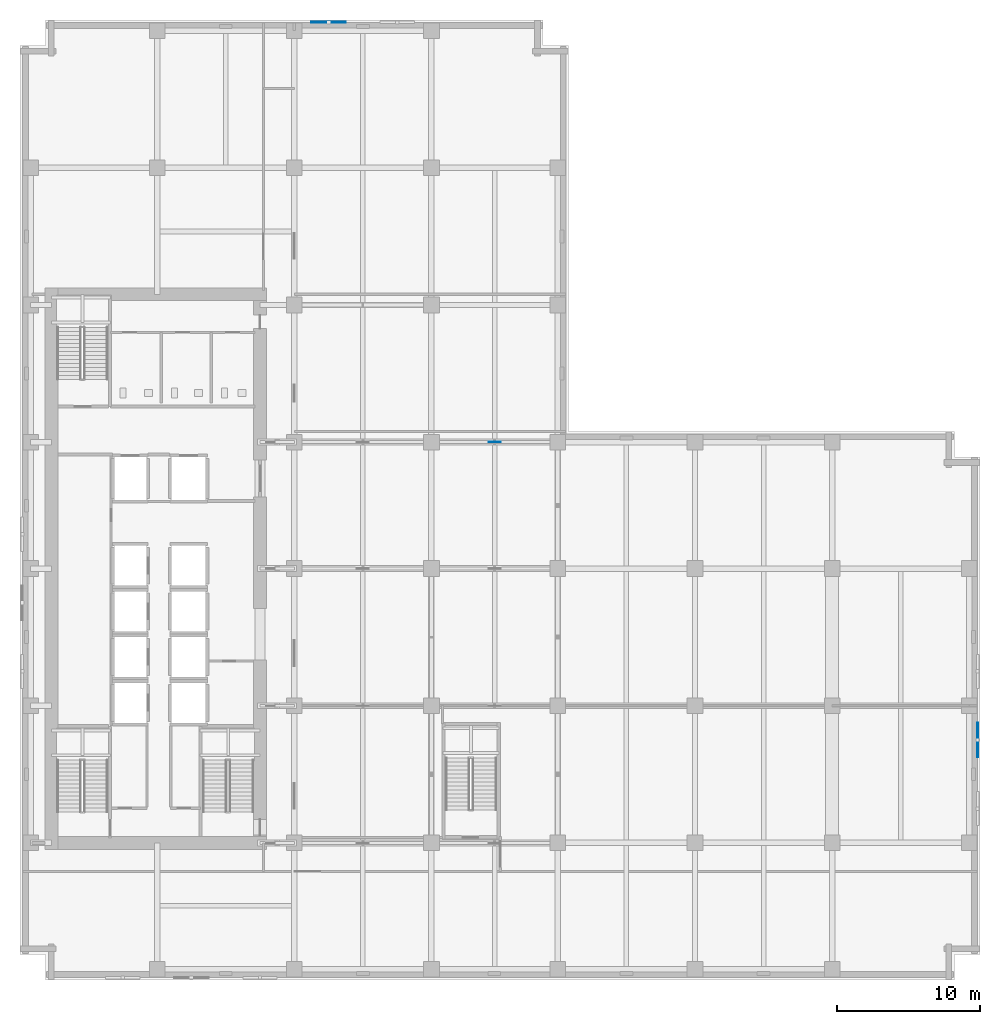
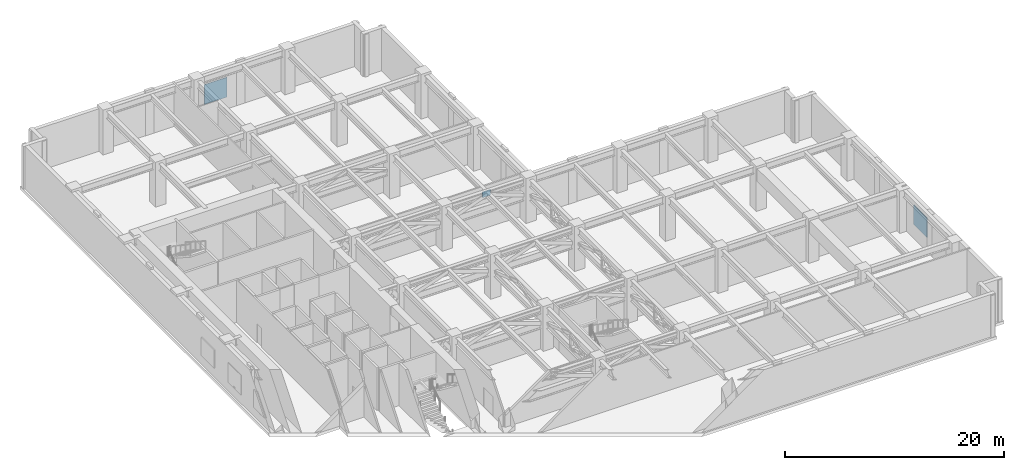
# One storey, part 12 of 22: 3 plates.
"""IFC4 building model written with IfcOpenShell, lengths in metres."""

from ifc_helpers import new_model, si_unit, direction, frame, origin, origin_2d, place, context, subcontext, project, spatial, rectangle, extrude, material, layer, layer_set, type_object, element, save


model = new_model("IFC4")

# Units and contexts
model_context = context("Model", 3, precision=1e-05, world=origin(), true_north=direction((0.0, 1.0)))
body_context = subcontext(model_context, "Body", "Model", "MODEL_VIEW")
ifc_project = project(units=[si_unit("LENGTHUNIT", "METRE"), si_unit("AREAUNIT", "SQUARE_METRE"), si_unit("VOLUMEUNIT", "CUBIC_METRE"), si_unit("PLANEANGLEUNIT", "RADIAN"), si_unit("MASSUNIT", "GRAM", prefix="KILO")], contexts=[model_context])

# Site, building, storey
site_placement = place(None, origin())
site = spatial("IfcSite", under=ifc_project, at=site_placement, CompositionType="ELEMENT")
building_placement = place(site_placement, origin())
building = spatial("IfcBuilding", under=site, at=building_placement, Name="Norrvale University Quadrangle", CompositionType="ELEMENT")
storey_placement = place(building_placement, frame((0.0, 0.0, 96.39990234375)))
storey = spatial("IfcBuildingStorey", under=building, at=storey_placement, Name="L24", CompositionType="ELEMENT", Elevation=96.39990234375)

# Plates
ifc_material_1 = material(Name="Perforated Acoustic Aluminium Screen", Category="aluminium")
ifc_layer_1 = layer(ifc_material_1, 0.06005859375, Name="Perforated Acoustic Aluminium Screen")
ifc_layer_set_1 = layer_set([ifc_layer_1], Name="Perforated Acoustic Aluminium Screen")
plate_type_1 = type_object("IfcPlateType", Name="Plate Crown Screen 60", PredefinedType="USERDEFINED", material=ifc_layer_set_1)
for number, where, z_axis, x_axis, name in (
    (1, (67.0400390625, 16.800048828125, 1.0), (0.0, 0.0, 1.0), (0.0, 1.0, 0.0), "Acoustic Louvered Crown Screen 002"),
    (2, (21.60009765625, 67.0400390625, 1.0), (0.0, 0.0, 1.0), (-1.0, 0.0, 0.0), "Acoustic Louvered Crown Screen 003"),
):
    element("IfcPlate", number, at=place(storey_placement, frame(where, z_axis=z_axis, x_axis=x_axis)), inside=storey, type_object=plate_type_1, Name=name, ObjectType="CROWN SCREEN", PredefinedType="USERDEFINED", context=body_context, shape_type="SweptSolid", body=[
        extrude(rectangle(XDim=2.39990234375, YDim=0.06005859375, at=origin_2d()), origin(), (0.0, 0.0, 1.0), 2.199951171875),
    ])
ifc_material_2 = material(Name="Steel 350W", Category="steel")
ifc_layer_2 = layer(ifc_material_2, 0.02490234375, Name="Steel 350W")
ifc_layer_set_2 = layer_set([ifc_layer_2], Name="Steel 350W")
plate_type_2 = type_object("IfcPlateType", Name="Plate Gusset 25", PredefinedType="USERDEFINED", material=ifc_layer_set_2)
plate_placement = place(storey_placement, frame((33.22509765625, 37.64990234375, 4.065185546875), z_axis=(0.0, 0.0, 1.0), x_axis=(1.0, 0.0, 0.0)))
element("IfcPlate", 3, at=plate_placement, inside=storey, type_object=plate_type_2, Name="Outrigger Truss Gusset Plate 16", ObjectType="GUSSET_PLATE", PredefinedType="USERDEFINED", context=body_context, shape_type="SweptSolid", body=[
    extrude(rectangle(XDim=0.85009765625, YDim=0.02490234375, at=origin_2d()), origin(), (0.0, 0.0, 1.0), 0.64990234375),
])

save(model, "model.ifc")
